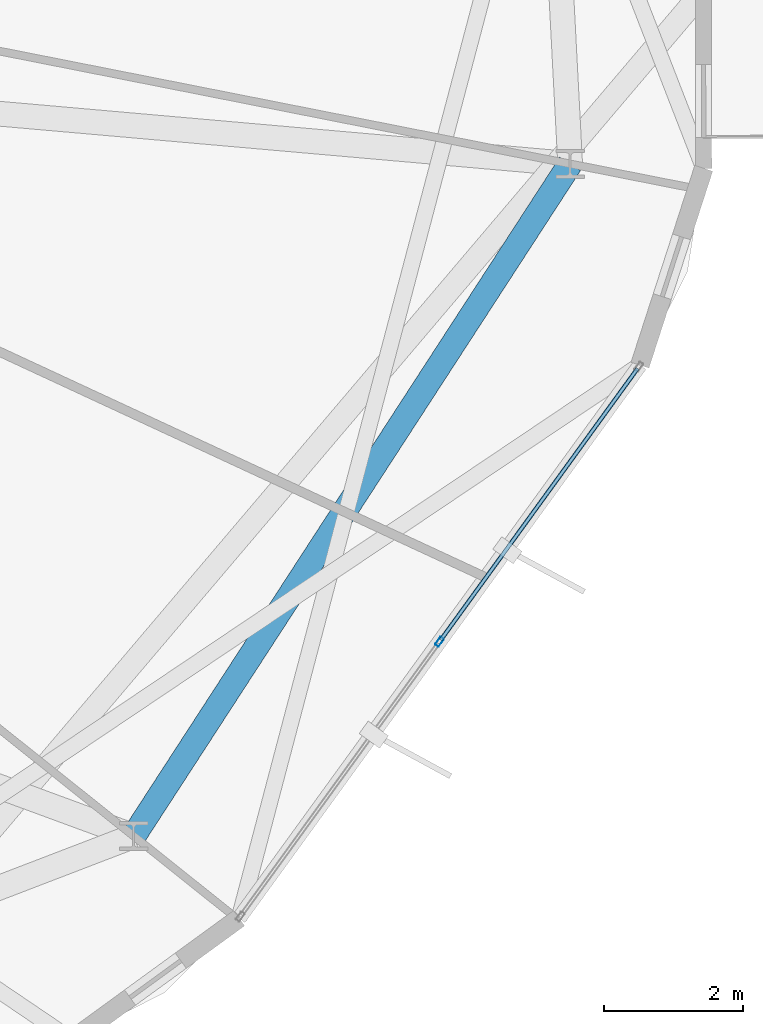
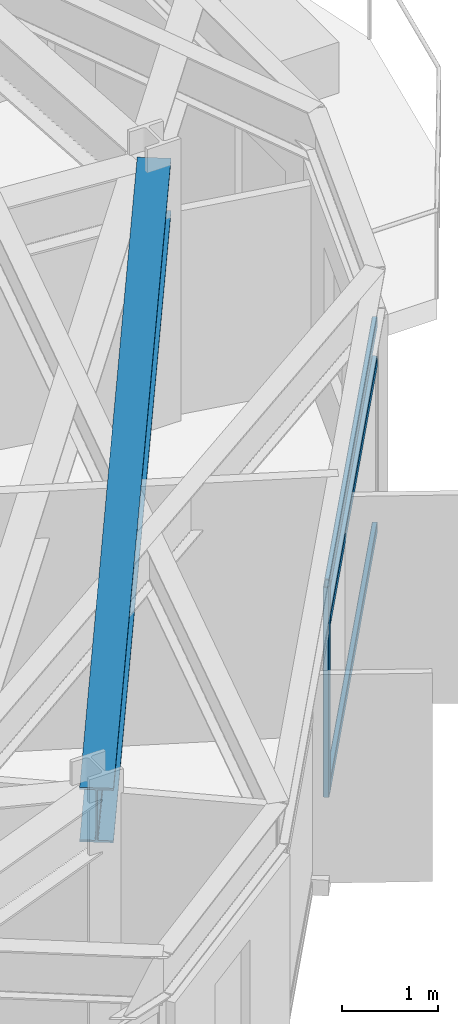
# One storey, part 13 of 31: 4 members, 1 beam, 1 element without a shape of its own.
"""IFC4 building model written with IfcOpenShell, lengths in metres."""

from ifc_helpers import new_model, si_unit, direction, frame, origin, origin_2d, place, context, subcontext, project, spatial, hollow_rectangle, i_section, extrude, material, layer, layer_set, material_profile, profile_set, type_object, element, aggregate, save


model = new_model("IFC4")

# Units and contexts
model_context = context("Model", 3, precision=1e-05, world=origin(), true_north=direction((0.0, 1.0)))
body_context = subcontext(model_context, "Body", "Model", "MODEL_VIEW")
ifc_project = project(units=[si_unit("LENGTHUNIT", "METRE"), si_unit("AREAUNIT", "SQUARE_METRE"), si_unit("VOLUMEUNIT", "CUBIC_METRE"), si_unit("PLANEANGLEUNIT", "RADIAN"), si_unit("MASSUNIT", "GRAM", prefix="KILO")], contexts=[model_context])

# Site, building, storey
site_placement = place(None, origin())
site = spatial("IfcSite", under=ifc_project, at=site_placement, CompositionType="ELEMENT")
building_placement = place(site_placement, origin())
building = spatial("IfcBuilding", under=site, at=building_placement, Name="Soratama Intermodal Tower", CompositionType="ELEMENT")
storey_placement = place(building_placement, frame((0.0, 0.0, 230.199951171875)))
storey = spatial("IfcBuildingStorey", under=building, at=storey_placement, Name="L58", CompositionType="ELEMENT", Elevation=230.199951171875)

# Beam
ifc_material_1 = material(Name="Structural steel ASTM A992 Grade 50", Category="steel")
ifc_material_profile_1 = material_profile(ifc_material_1, i_section(OverallWidth=0.35498046875, OverallDepth=0.695068359375, WebThickness=0.015380859375, FlangeThickness=0.02490234375, FilletRadius=0.01611328125, at=origin_2d()), Name="W27X146")
ifc_profile_set_1 = profile_set([ifc_material_profile_1], Name="Structural steel ASTM A992 Grade 50")
beam_type = type_object("IfcBeamType", Name="BM-RING-W27X146", PredefinedType="BEAM", material=ifc_profile_set_1)
beam_placement = place(storey_placement, frame((56.705078125, 10.544921875, 2.95263671875), z_axis=(0.544637453764, 0.83867159482, 0.0), x_axis=(-0.83867159482, 0.544637453764, 0.0)))
element("IfcBeam", 1, at=beam_placement, inside=storey, type_object=beam_type, Name="BM-L58-RING-09", PredefinedType="BEAM", context=body_context, shape_type="SweptSolid", body=[
    extrude(i_section(OverallWidth=0.35498046875, OverallDepth=0.695068359375, WebThickness=0.015380859375, FlangeThickness=0.02490234375, FilletRadius=0.01611328125, at=origin_2d()), origin(), (0.0, 0.0, 1.0), 11.49560546875),
])

# Curtain wall, members
ifc_material_2 = material(Name="Double-glazed aluminium curtain wall", Category="aluminium")
ifc_layer = layer(ifc_material_2, 0.159912109375)
ifc_layer_set = layer_set([ifc_layer], Name="Double-glazed aluminium curtain wall")
curtain_wall_type = type_object("IfcCurtainWallType", Name="CW-SYS-5", PredefinedType="NOTDEFINED", material=ifc_layer_set)
curtain_wall_placement = place(storey_placement, origin())
curtain_wall = element("IfcCurtainWall", 2, at=curtain_wall_placement, inside=storey, type_object=curtain_wall_type, Name="L58 Faceted Curtain Wall F08", PredefinedType="NOTDEFINED")
ifc_material_3 = material(Name="Anodised aluminium AA 6063-T6", Category="aluminium")
ifc_material_profile_2 = material_profile(ifc_material_3, hollow_rectangle(XDim=0.06494140625, YDim=0.139892578125, WallThickness=0.0048828125, InnerFilletRadius=0.0048828125, OuterFilletRadius=0.010009765625, at=origin_2d()), Name="CWM140X65X5")
ifc_profile_set_2 = profile_set([ifc_material_profile_2], Name="Anodised aluminium AA 6063-T6")
member_type_1 = type_object("IfcMemberType", Name="MT-CWM-5", PredefinedType="MULLION", material=ifc_profile_set_2)
member_1_placement = place(storey_placement, frame((61.093017578125, 13.333251953125, 0.0), z_axis=(0.0, 0.0, 1.0), x_axis=(-0.80963287542, 0.586936629492, 0.0)))
member_1 = element("IfcMember", 3, at=member_1_placement, type_object=member_type_1, Name="CW-5 mullion 2", PredefinedType="MULLION", context=body_context, shape_type="SweptSolid", body=[
    extrude(hollow_rectangle(XDim=0.06494140625, YDim=0.139892578125, WallThickness=0.0048828125, InnerFilletRadius=0.0048828125, OuterFilletRadius=0.010009765625, at=origin_2d()), origin(), (0.0, 0.0, 1.0), 2.678955078125),
])
ifc_material_4 = material(Name="Anodised aluminium AA 6063-T6", Category="aluminium")
ifc_material_profile_3 = material_profile(ifc_material_4, hollow_rectangle(XDim=0.06005859375, YDim=0.1298828125, WallThickness=0.0048828125, InnerFilletRadius=0.0048828125, OuterFilletRadius=0.010009765625, at=origin_2d()), Name="CWT130X60X5")
ifc_profile_set_3 = profile_set([ifc_material_profile_3], Name="Anodised aluminium AA 6063-T6")
member_type_2 = type_object("IfcMemberType", Name="TT-CWT-2", PredefinedType="USERDEFINED", material=ifc_profile_set_3)
member_2_placement = place(storey_placement, frame((61.110595703125, 13.357666015625, 0.030029296875), z_axis=(0.586948436467, 0.80962431592, 0.0), x_axis=(-0.80962431592, 0.586948436467, 0.0)))
member_2 = element("IfcMember", 4, at=member_2_placement, type_object=member_type_2, Name="CW-5 transom 2.1", ObjectType="TRANSOM", PredefinedType="USERDEFINED", context=body_context, shape_type="SweptSolid", body=[
    extrude(hollow_rectangle(XDim=0.06005859375, YDim=0.1298828125, WallThickness=0.0048828125, InnerFilletRadius=0.0048828125, OuterFilletRadius=0.010009765625, at=origin_2d()), origin(), (0.0, 0.0, 1.0), 4.808837890625),
])
member_3_placement = place(storey_placement, frame((61.110595703125, 13.357666015625, 2.150146484375), z_axis=(0.586948436467, 0.80962431592, 0.0), x_axis=(-0.80962431592, 0.586948436467, 0.0)))
member_3 = element("IfcMember", 5, at=member_3_placement, type_object=member_type_2, Name="CW-5 transom 2.2", ObjectType="TRANSOM", PredefinedType="USERDEFINED", context=body_context, shape_type="SweptSolid", body=[
    extrude(hollow_rectangle(XDim=0.06005859375, YDim=0.1298828125, WallThickness=0.0048828125, InnerFilletRadius=0.0048828125, OuterFilletRadius=0.010009765625, at=origin_2d()), origin(), (0.0, 0.0, 1.0), 4.808837890625),
])
member_4_placement = place(storey_placement, frame((61.110595703125, 13.357666015625, 2.649169921875), z_axis=(0.586948436467, 0.80962431592, 0.0), x_axis=(-0.80962431592, 0.586948436467, 0.0)))
member_4 = element("IfcMember", 6, at=member_4_placement, type_object=member_type_2, Name="CW-5 transom 2.3", ObjectType="TRANSOM", PredefinedType="USERDEFINED", context=body_context, shape_type="SweptSolid", body=[
    extrude(hollow_rectangle(XDim=0.06005859375, YDim=0.1298828125, WallThickness=0.0048828125, InnerFilletRadius=0.0048828125, OuterFilletRadius=0.010009765625, at=origin_2d()), origin(), (0.0, 0.0, 1.0), 4.808837890625),
])
aggregate(curtain_wall, [member_1, member_2, member_3, member_4])

save(model, "model.ifc")
